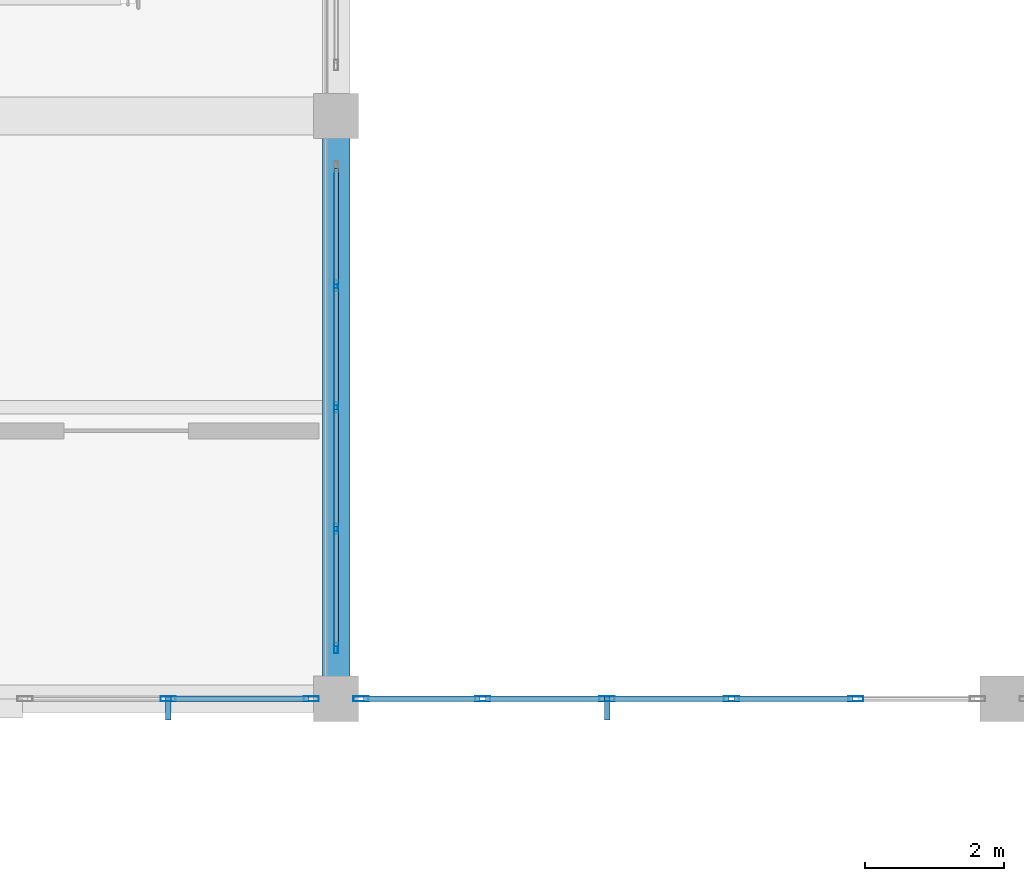
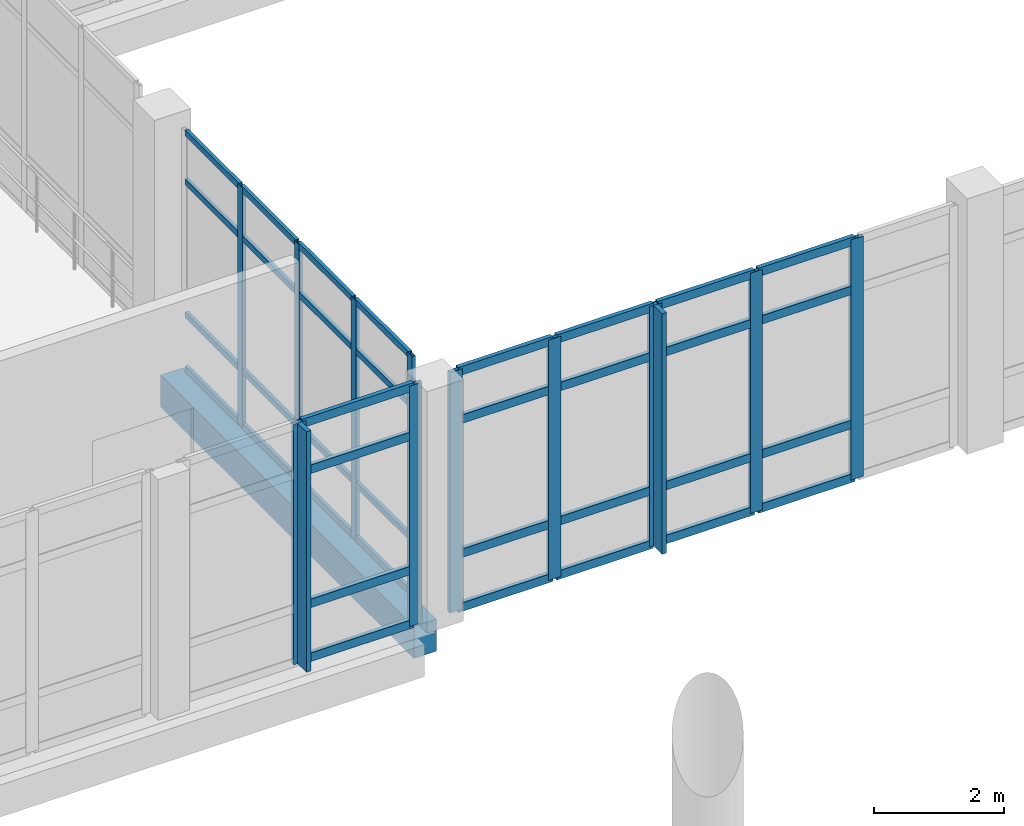
# One storey, part 33 of 102: 49 members, 1 beam, 3 elements without a shape of their own.
"""IFC4 building model written with IfcOpenShell, lengths in metres."""

from ifc_helpers import new_model, si_unit, direction, frame, origin, origin_2d, place, context, subcontext, project, spatial, rectangle, hollow_rectangle, extrude, material, layer, layer_set, material_profile, profile_set, type_object, element, aggregate, save


model = new_model("IFC4")

# Units and contexts
model_context = context("Model", 3, precision=1e-05, world=origin(), true_north=direction((0.0, 1.0)))
body_context = subcontext(model_context, "Body", "Model", "MODEL_VIEW")
ifc_project = project(units=[si_unit("LENGTHUNIT", "METRE"), si_unit("AREAUNIT", "SQUARE_METRE"), si_unit("VOLUMEUNIT", "CUBIC_METRE"), si_unit("PLANEANGLEUNIT", "RADIAN"), si_unit("MASSUNIT", "GRAM", prefix="KILO")], contexts=[model_context])

# Site, building, storey
site_placement = place(None, origin())
site = spatial("IfcSite", under=ifc_project, at=site_placement, CompositionType="ELEMENT")
building_placement = place(site_placement, origin())
building = spatial("IfcBuilding", under=site, at=building_placement, Name="Lornevale Opera House", CompositionType="ELEMENT")
storey_placement = place(building_placement, frame((0.0, 0.0, 5.39990234375)))
storey = spatial("IfcBuildingStorey", under=building, at=storey_placement, Name="L02", CompositionType="ELEMENT", Elevation=5.39990234375)

# Beam
ifc_material_1 = material(Name="Concrete 35 MPa (CSA A23.1 N)", Category="concrete")
ifc_material_profile_1 = material_profile(ifc_material_1, rectangle(XDim=0.39990234375, YDim=0.60009765625, at=origin_2d()), Name="RC400x600")
ifc_profile_set_1 = profile_set([ifc_material_profile_1], Name="Concrete 35 MPa (CSA A23.1 N)")
beam_type = type_object("IfcBeamType", Name="Concrete Spandrel Beam 400x600", PredefinedType="SPANDREL", material=ifc_profile_set_1)
beam_placement = place(storey_placement, frame((67.199951171875, 17.10009765625, -0.599853515625), z_axis=(0.0, 1.0, 0.0), x_axis=(-1.0, 0.0, 0.0)))
element("IfcBeam", 1, at=beam_placement, inside=storey, type_object=beam_type, Name="Concrete Spandrel Beam 400x600 1891", PredefinedType="SPANDREL", context=body_context, shape_type="SweptSolid", body=[
    extrude(rectangle(XDim=0.39990234375, YDim=0.60009765625, at=origin_2d()), origin(), (0.0, 0.0, 1.0), 7.7998046875),
])

# Curtain wall, members
ifc_material_2 = material(Name="Anodized Oxide-Green Aluminium Framing", Category="aluminium")
ifc_layer_1 = layer(ifc_material_2, 0.14990234375)
ifc_layer_set_1 = layer_set([ifc_layer_1], Name="Anodized Oxide-Green Aluminium Framing")
curtain_wall_type_1 = type_object("IfcCurtainWallType", Name="North-Light Clerestory Curtain Wall M1600", PredefinedType="NOTDEFINED", material=ifc_layer_set_1)
curtain_wall_1_placement = place(storey_placement, origin())
curtain_wall_1 = element("IfcCurtainWall", 2, at=curtain_wall_1_placement, inside=storey, type_object=curtain_wall_type_1, Name="North-Light Clerestory Curtain Wall M1600 CW-171", PredefinedType="NOTDEFINED")
ifc_material_profile_2 = material_profile(ifc_material_2, hollow_rectangle(XDim=0.06005859375, YDim=0.14990234375, WallThickness=0.00390625, at=origin_2d()), Name="ALU60x150x4")
ifc_profile_set_2 = profile_set([ifc_material_profile_2], Name="Anodized Oxide-Green Aluminium Framing")
member_type_1 = type_object("IfcMemberType", Name="Curtain Wall Mullion 60x150", PredefinedType="MULLION", material=ifc_profile_set_2)
member_1_placement = place(storey_placement, frame((67.199951171875, 17.530029296875, 0.0), z_axis=(0.0, 0.0, 1.0), x_axis=(-1.0, 0.0, 0.0)))
member_1 = element("IfcMember", 3, at=member_1_placement, type_object=member_type_1, Name="Curtain Wall Mullion 60x150 CW3459", PredefinedType="MULLION", context=body_context, shape_type="SweptSolid", body=[
    extrude(hollow_rectangle(XDim=0.06005859375, YDim=0.14990234375, WallThickness=0.00390625, at=origin_2d()), origin(), (0.0, 0.0, 1.0), 4.5),
])
member_2_placement = place(storey_placement, frame((67.199951171875, 19.25, 0.0), z_axis=(0.0, 0.0, 1.0), x_axis=(-1.0, 0.0, 0.0)))
member_2 = element("IfcMember", 4, at=member_2_placement, type_object=member_type_1, Name="Curtain Wall Mullion 60x150 CW3460", PredefinedType="MULLION", context=body_context, shape_type="SweptSolid", body=[
    extrude(hollow_rectangle(XDim=0.06005859375, YDim=0.14990234375, WallThickness=0.00390625, at=origin_2d()), origin(), (0.0, 0.0, 1.0), 4.5),
])
member_3_placement = place(storey_placement, frame((67.199951171875, 21.0, 0.0), z_axis=(0.0, 0.0, 1.0), x_axis=(-1.0, 0.0, 0.0)))
member_3 = element("IfcMember", 5, at=member_3_placement, type_object=member_type_1, Name="Curtain Wall Mullion 60x150 CW3461", PredefinedType="MULLION", context=body_context, shape_type="SweptSolid", body=[
    extrude(hollow_rectangle(XDim=0.06005859375, YDim=0.14990234375, WallThickness=0.00390625, at=origin_2d()), origin(), (0.0, 0.0, 1.0), 4.5),
])
member_4_placement = place(storey_placement, frame((67.199951171875, 22.75, 0.0), z_axis=(0.0, 0.0, 1.0), x_axis=(-1.0, 0.0, 0.0)))
member_4 = element("IfcMember", 6, at=member_4_placement, type_object=member_type_1, Name="Curtain Wall Mullion 60x150 CW3462", PredefinedType="MULLION", context=body_context, shape_type="SweptSolid", body=[
    extrude(hollow_rectangle(XDim=0.06005859375, YDim=0.14990234375, WallThickness=0.00390625, at=origin_2d()), origin(), (0.0, 0.0, 1.0), 4.5),
])

ifc_layer_2 = layer(ifc_material_2, 0.219970703125)
ifc_layer_set_2 = layer_set([ifc_layer_2], Name="Anodized Oxide-Green Aluminium Framing")
curtain_wall_type_2 = type_object("IfcCurtainWallType", Name="Winter-Garden Curtain Wall M1900", PredefinedType="NOTDEFINED", material=ifc_layer_set_2)
curtain_wall_2_placement = place(storey_placement, origin())
curtain_wall_2 = element("IfcCurtainWall", 7, at=curtain_wall_2_placement, inside=storey, type_object=curtain_wall_type_2, Name="Winter-Garden Curtain Wall M1900 CW-067", PredefinedType="NOTDEFINED")
ifc_material_profile_3 = material_profile(ifc_material_2, hollow_rectangle(XDim=0.074951171875, YDim=0.219970703125, WallThickness=0.0048828125, at=origin_2d()), Name="ALU75x220x5")
ifc_profile_set_3 = profile_set([ifc_material_profile_3], Name="Anodized Oxide-Green Aluminium Framing")
member_type_2 = type_object("IfcMemberType", Name="Curtain Wall Mullion 75x220", PredefinedType="MULLION", material=ifc_profile_set_3)
member_5_placement = place(storey_placement, frame((66.841552734375, 16.800048828125, 0.0), z_axis=(0.0, 0.0, 1.0), x_axis=(0.0, -1.0, 0.0)))
member_5 = element("IfcMember", 8, at=member_5_placement, type_object=member_type_2, Name="Curtain Wall Mullion 75x220 CW1323", PredefinedType="MULLION", context=body_context, shape_type="SweptSolid", body=[
    extrude(hollow_rectangle(XDim=0.074951171875, YDim=0.219970703125, WallThickness=0.0048828125, at=origin_2d()), origin(), (0.0, 0.0, 1.0), 4.52001953125),
])
member_6_placement = place(storey_placement, frame((64.779541015625, 16.800048828125, 0.0), z_axis=(0.0, 0.0, 1.0), x_axis=(0.0, -1.0, 0.0)))
member_6 = element("IfcMember", 9, at=member_6_placement, type_object=member_type_2, Name="Curtain Wall Mullion 75x220 CW1324", PredefinedType="MULLION", context=body_context, shape_type="SweptSolid", body=[
    extrude(hollow_rectangle(XDim=0.074951171875, YDim=0.219970703125, WallThickness=0.0048828125, at=origin_2d()), origin(), (0.0, 0.0, 1.0), 4.52001953125),
])

curtain_wall_3_placement = place(storey_placement, origin())
curtain_wall_3 = element("IfcCurtainWall", 10, at=curtain_wall_3_placement, inside=storey, type_object=curtain_wall_type_2, Name="Winter-Garden Curtain Wall M1900 CW-069", PredefinedType="NOTDEFINED")
member_7_placement = place(storey_placement, frame((74.6875, 16.800048828125, 0.0), z_axis=(0.0, 0.0, 1.0), x_axis=(0.0, -1.0, 0.0)))
member_7 = element("IfcMember", 11, at=member_7_placement, type_object=member_type_2, Name="Curtain Wall Mullion 75x220 CW1358", PredefinedType="MULLION", context=body_context, shape_type="SweptSolid", body=[
    extrude(hollow_rectangle(XDim=0.074951171875, YDim=0.219970703125, WallThickness=0.0048828125, at=origin_2d()), origin(), (0.0, 0.0, 1.0), 4.52001953125),
])
member_8_placement = place(storey_placement, frame((72.895751953125, 16.800048828125, 0.0), z_axis=(0.0, 0.0, 1.0), x_axis=(0.0, -1.0, 0.0)))
member_8 = element("IfcMember", 12, at=member_8_placement, type_object=member_type_2, Name="Curtain Wall Mullion 75x220 CW1359", PredefinedType="MULLION", context=body_context, shape_type="SweptSolid", body=[
    extrude(hollow_rectangle(XDim=0.074951171875, YDim=0.219970703125, WallThickness=0.0048828125, at=origin_2d()), origin(), (0.0, 0.0, 1.0), 4.52001953125),
])
member_9_placement = place(storey_placement, frame((71.104248046875, 16.800048828125, 0.0), z_axis=(0.0, 0.0, 1.0), x_axis=(0.0, -1.0, 0.0)))
member_9 = element("IfcMember", 13, at=member_9_placement, type_object=member_type_2, Name="Curtain Wall Mullion 75x220 CW1360", PredefinedType="MULLION", context=body_context, shape_type="SweptSolid", body=[
    extrude(hollow_rectangle(XDim=0.074951171875, YDim=0.219970703125, WallThickness=0.0048828125, at=origin_2d()), origin(), (0.0, 0.0, 1.0), 4.52001953125),
])
member_10_placement = place(storey_placement, frame((69.3125, 16.800048828125, 0.0), z_axis=(0.0, 0.0, 1.0), x_axis=(0.0, -1.0, 0.0)))
member_10 = element("IfcMember", 14, at=member_10_placement, type_object=member_type_2, Name="Curtain Wall Mullion 75x220 CW1361", PredefinedType="MULLION", context=body_context, shape_type="SweptSolid", body=[
    extrude(hollow_rectangle(XDim=0.074951171875, YDim=0.219970703125, WallThickness=0.0048828125, at=origin_2d()), origin(), (0.0, 0.0, 1.0), 4.52001953125),
])
member_11_placement = place(storey_placement, frame((67.55859375, 16.800048828125, 0.0), z_axis=(0.0, 0.0, 1.0), x_axis=(0.0, -1.0, 0.0)))
member_11 = element("IfcMember", 15, at=member_11_placement, type_object=member_type_2, Name="Curtain Wall Mullion 75x220 CW1362", PredefinedType="MULLION", context=body_context, shape_type="SweptSolid", body=[
    extrude(hollow_rectangle(XDim=0.074951171875, YDim=0.219970703125, WallThickness=0.0048828125, at=origin_2d()), origin(), (0.0, 0.0, 1.0), 4.52001953125),
])

# Member
ifc_material_profile_4 = material_profile(ifc_material_2, hollow_rectangle(XDim=0.06005859375, YDim=0.114990234375, WallThickness=0.00390625, at=origin_2d()), Name="ALU60x115x4")
ifc_profile_set_4 = profile_set([ifc_material_profile_4], Name="Anodized Oxide-Green Aluminium Framing")
member_type_3 = type_object("IfcMemberType", Name="Curtain Wall Transom 60x115", PredefinedType="USERDEFINED", material=ifc_profile_set_4)
member_12_placement = place(storey_placement, frame((67.199951171875, 17.56005859375, 0.030029296875), z_axis=(0.0, 1.0, 0.0), x_axis=(-1.0, 0.0, 0.0)))
member_12 = element("IfcMember", 16, at=member_12_placement, type_object=member_type_3, Name="Curtain Wall Transom 60x115 CW3464", ObjectType="TRANSOM", PredefinedType="USERDEFINED", context=body_context, shape_type="SweptSolid", body=[
    extrude(hollow_rectangle(XDim=0.06005859375, YDim=0.114990234375, WallThickness=0.00390625, at=origin_2d()), origin(), (0.0, 0.0, 1.0), 1.659912109375),
])

member_13_placement = place(storey_placement, frame((67.199951171875, 17.56005859375, 1.050048828125), z_axis=(0.0, 1.0, 0.0), x_axis=(-1.0, 0.0, 0.0)))
member_13 = element("IfcMember", 17, at=member_13_placement, type_object=member_type_3, Name="Curtain Wall Transom 60x115 CW3465", ObjectType="TRANSOM", PredefinedType="USERDEFINED", context=body_context, shape_type="SweptSolid", body=[
    extrude(hollow_rectangle(XDim=0.06005859375, YDim=0.114990234375, WallThickness=0.00390625, at=origin_2d()), origin(), (0.0, 0.0, 1.0), 1.659912109375),
])

member_14_placement = place(storey_placement, frame((67.199951171875, 17.56005859375, 3.550048828125), z_axis=(0.0, 1.0, 0.0), x_axis=(-1.0, 0.0, 0.0)))
member_14 = element("IfcMember", 18, at=member_14_placement, type_object=member_type_3, Name="Curtain Wall Transom 60x115 CW3466", ObjectType="TRANSOM", PredefinedType="USERDEFINED", context=body_context, shape_type="SweptSolid", body=[
    extrude(hollow_rectangle(XDim=0.06005859375, YDim=0.114990234375, WallThickness=0.00390625, at=origin_2d()), origin(), (0.0, 0.0, 1.0), 1.659912109375),
])

member_15_placement = place(storey_placement, frame((67.199951171875, 17.56005859375, 4.47021484375), z_axis=(0.0, 1.0, 0.0), x_axis=(-1.0, 0.0, 0.0)))
member_15 = element("IfcMember", 19, at=member_15_placement, type_object=member_type_3, Name="Curtain Wall Transom 60x115 CW3467", ObjectType="TRANSOM", PredefinedType="USERDEFINED", context=body_context, shape_type="SweptSolid", body=[
    extrude(hollow_rectangle(XDim=0.06005859375, YDim=0.114990234375, WallThickness=0.00390625, at=origin_2d()), origin(), (0.0, 0.0, 1.0), 1.659912109375),
])

member_16_placement = place(storey_placement, frame((67.199951171875, 19.280029296875, 0.030029296875), z_axis=(0.0, 1.0, 0.0), x_axis=(-1.0, 0.0, 0.0)))
member_16 = element("IfcMember", 20, at=member_16_placement, type_object=member_type_3, Name="Curtain Wall Transom 60x115 CW3471", ObjectType="TRANSOM", PredefinedType="USERDEFINED", context=body_context, shape_type="SweptSolid", body=[
    extrude(hollow_rectangle(XDim=0.06005859375, YDim=0.114990234375, WallThickness=0.00390625, at=origin_2d()), origin(), (0.0, 0.0, 1.0), 1.68994140625),
])

member_17_placement = place(storey_placement, frame((67.199951171875, 19.280029296875, 1.050048828125), z_axis=(0.0, 1.0, 0.0), x_axis=(-1.0, 0.0, 0.0)))
member_17 = element("IfcMember", 21, at=member_17_placement, type_object=member_type_3, Name="Curtain Wall Transom 60x115 CW3472", ObjectType="TRANSOM", PredefinedType="USERDEFINED", context=body_context, shape_type="SweptSolid", body=[
    extrude(hollow_rectangle(XDim=0.06005859375, YDim=0.114990234375, WallThickness=0.00390625, at=origin_2d()), origin(), (0.0, 0.0, 1.0), 1.68994140625),
])

member_18_placement = place(storey_placement, frame((67.199951171875, 19.280029296875, 3.550048828125), z_axis=(0.0, 1.0, 0.0), x_axis=(-1.0, 0.0, 0.0)))
member_18 = element("IfcMember", 22, at=member_18_placement, type_object=member_type_3, Name="Curtain Wall Transom 60x115 CW3473", ObjectType="TRANSOM", PredefinedType="USERDEFINED", context=body_context, shape_type="SweptSolid", body=[
    extrude(hollow_rectangle(XDim=0.06005859375, YDim=0.114990234375, WallThickness=0.00390625, at=origin_2d()), origin(), (0.0, 0.0, 1.0), 1.68994140625),
])

member_19_placement = place(storey_placement, frame((67.199951171875, 19.280029296875, 4.47021484375), z_axis=(0.0, 1.0, 0.0), x_axis=(-1.0, 0.0, 0.0)))
member_19 = element("IfcMember", 23, at=member_19_placement, type_object=member_type_3, Name="Curtain Wall Transom 60x115 CW3474", ObjectType="TRANSOM", PredefinedType="USERDEFINED", context=body_context, shape_type="SweptSolid", body=[
    extrude(hollow_rectangle(XDim=0.06005859375, YDim=0.114990234375, WallThickness=0.00390625, at=origin_2d()), origin(), (0.0, 0.0, 1.0), 1.68994140625),
])

member_20_placement = place(storey_placement, frame((67.199951171875, 21.030029296875, 0.030029296875), z_axis=(0.0, 1.0, 0.0), x_axis=(-1.0, 0.0, 0.0)))
member_20 = element("IfcMember", 24, at=member_20_placement, type_object=member_type_3, Name="Curtain Wall Transom 60x115 CW3478", ObjectType="TRANSOM", PredefinedType="USERDEFINED", context=body_context, shape_type="SweptSolid", body=[
    extrude(hollow_rectangle(XDim=0.06005859375, YDim=0.114990234375, WallThickness=0.00390625, at=origin_2d()), origin(), (0.0, 0.0, 1.0), 1.68994140625),
])

member_21_placement = place(storey_placement, frame((67.199951171875, 21.030029296875, 1.050048828125), z_axis=(0.0, 1.0, 0.0), x_axis=(-1.0, 0.0, 0.0)))
member_21 = element("IfcMember", 25, at=member_21_placement, type_object=member_type_3, Name="Curtain Wall Transom 60x115 CW3479", ObjectType="TRANSOM", PredefinedType="USERDEFINED", context=body_context, shape_type="SweptSolid", body=[
    extrude(hollow_rectangle(XDim=0.06005859375, YDim=0.114990234375, WallThickness=0.00390625, at=origin_2d()), origin(), (0.0, 0.0, 1.0), 1.68994140625),
])

member_22_placement = place(storey_placement, frame((67.199951171875, 21.030029296875, 3.550048828125), z_axis=(0.0, 1.0, 0.0), x_axis=(-1.0, 0.0, 0.0)))
member_22 = element("IfcMember", 26, at=member_22_placement, type_object=member_type_3, Name="Curtain Wall Transom 60x115 CW3480", ObjectType="TRANSOM", PredefinedType="USERDEFINED", context=body_context, shape_type="SweptSolid", body=[
    extrude(hollow_rectangle(XDim=0.06005859375, YDim=0.114990234375, WallThickness=0.00390625, at=origin_2d()), origin(), (0.0, 0.0, 1.0), 1.68994140625),
])

member_23_placement = place(storey_placement, frame((67.199951171875, 21.030029296875, 4.47021484375), z_axis=(0.0, 1.0, 0.0), x_axis=(-1.0, 0.0, 0.0)))
member_23 = element("IfcMember", 27, at=member_23_placement, type_object=member_type_3, Name="Curtain Wall Transom 60x115 CW3481", ObjectType="TRANSOM", PredefinedType="USERDEFINED", context=body_context, shape_type="SweptSolid", body=[
    extrude(hollow_rectangle(XDim=0.06005859375, YDim=0.114990234375, WallThickness=0.00390625, at=origin_2d()), origin(), (0.0, 0.0, 1.0), 1.68994140625),
])

member_24_placement = place(storey_placement, frame((67.199951171875, 22.780029296875, 0.030029296875), z_axis=(0.0, 1.0, 0.0), x_axis=(-1.0, 0.0, 0.0)))
member_24 = element("IfcMember", 28, at=member_24_placement, type_object=member_type_3, Name="Curtain Wall Transom 60x115 CW3485", ObjectType="TRANSOM", PredefinedType="USERDEFINED", context=body_context, shape_type="SweptSolid", body=[
    extrude(hollow_rectangle(XDim=0.06005859375, YDim=0.114990234375, WallThickness=0.00390625, at=origin_2d()), origin(), (0.0, 0.0, 1.0), 1.659912109375),
])

member_25_placement = place(storey_placement, frame((67.199951171875, 22.780029296875, 1.050048828125), z_axis=(0.0, 1.0, 0.0), x_axis=(-1.0, 0.0, 0.0)))
member_25 = element("IfcMember", 29, at=member_25_placement, type_object=member_type_3, Name="Curtain Wall Transom 60x115 CW3486", ObjectType="TRANSOM", PredefinedType="USERDEFINED", context=body_context, shape_type="SweptSolid", body=[
    extrude(hollow_rectangle(XDim=0.06005859375, YDim=0.114990234375, WallThickness=0.00390625, at=origin_2d()), origin(), (0.0, 0.0, 1.0), 1.659912109375),
])

member_26_placement = place(storey_placement, frame((67.199951171875, 22.780029296875, 3.550048828125), z_axis=(0.0, 1.0, 0.0), x_axis=(-1.0, 0.0, 0.0)))
member_26 = element("IfcMember", 30, at=member_26_placement, type_object=member_type_3, Name="Curtain Wall Transom 60x115 CW3487", ObjectType="TRANSOM", PredefinedType="USERDEFINED", context=body_context, shape_type="SweptSolid", body=[
    extrude(hollow_rectangle(XDim=0.06005859375, YDim=0.114990234375, WallThickness=0.00390625, at=origin_2d()), origin(), (0.0, 0.0, 1.0), 1.659912109375),
])

member_27_placement = place(storey_placement, frame((67.199951171875, 22.780029296875, 4.47021484375), z_axis=(0.0, 1.0, 0.0), x_axis=(-1.0, 0.0, 0.0)))
member_27 = element("IfcMember", 31, at=member_27_placement, type_object=member_type_3, Name="Curtain Wall Transom 60x115 CW3488", ObjectType="TRANSOM", PredefinedType="USERDEFINED", context=body_context, shape_type="SweptSolid", body=[
    extrude(hollow_rectangle(XDim=0.06005859375, YDim=0.114990234375, WallThickness=0.00390625, at=origin_2d()), origin(), (0.0, 0.0, 1.0), 1.659912109375),
])

aggregate(curtain_wall_1, [member_1, member_2, member_3, member_4, member_12, member_13, member_14, member_15, member_16, member_17, member_18, member_19, member_20, member_21, member_22, member_23, member_24, member_25, member_26, member_27])

ifc_material_profile_5 = material_profile(ifc_material_2, hollow_rectangle(XDim=0.074951171875, YDim=0.159912109375, WallThickness=0.0048828125, at=origin_2d()), Name="ALU75x160x5")
ifc_profile_set_5 = profile_set([ifc_material_profile_5], Name="Anodized Oxide-Green Aluminium Framing")
member_type_4 = type_object("IfcMemberType", Name="Curtain Wall Transom 75x160", PredefinedType="USERDEFINED", material=ifc_profile_set_5)
member_28_placement = place(storey_placement, frame((66.803955078125, 16.800048828125, 0.03759765625), z_axis=(-1.0, 0.0, 0.0), x_axis=(0.0, -1.0, 0.0)))
member_28 = element("IfcMember", 32, at=member_28_placement, type_object=member_type_4, Name="Curtain Wall Transom 75x160 CW1326", ObjectType="TRANSOM", PredefinedType="USERDEFINED", context=body_context, shape_type="SweptSolid", body=[
    extrude(hollow_rectangle(XDim=0.074951171875, YDim=0.159912109375, WallThickness=0.0048828125, at=origin_2d()), origin(), (0.0, 0.0, 1.0), 1.987060546875),
])

member_29_placement = place(storey_placement, frame((66.803955078125, 16.800048828125, 1.050048828125), z_axis=(-1.0, 0.0, 0.0), x_axis=(0.0, -1.0, 0.0)))
member_29 = element("IfcMember", 33, at=member_29_placement, type_object=member_type_4, Name="Curtain Wall Transom 75x160 CW1327", ObjectType="TRANSOM", PredefinedType="USERDEFINED", context=body_context, shape_type="SweptSolid", body=[
    extrude(hollow_rectangle(XDim=0.074951171875, YDim=0.159912109375, WallThickness=0.0048828125, at=origin_2d()), origin(), (0.0, 0.0, 1.0), 1.987060546875),
])

member_30_placement = place(storey_placement, frame((66.803955078125, 16.800048828125, 3.570068359375), z_axis=(-1.0, 0.0, 0.0), x_axis=(0.0, -1.0, 0.0)))
member_30 = element("IfcMember", 34, at=member_30_placement, type_object=member_type_4, Name="Curtain Wall Transom 75x160 CW1328", ObjectType="TRANSOM", PredefinedType="USERDEFINED", context=body_context, shape_type="SweptSolid", body=[
    extrude(hollow_rectangle(XDim=0.074951171875, YDim=0.159912109375, WallThickness=0.0048828125, at=origin_2d()), origin(), (0.0, 0.0, 1.0), 1.987060546875),
])

member_31_placement = place(storey_placement, frame((66.803955078125, 16.800048828125, 4.482666015625), z_axis=(-1.0, 0.0, 0.0), x_axis=(0.0, -1.0, 0.0)))
member_31 = element("IfcMember", 35, at=member_31_placement, type_object=member_type_4, Name="Curtain Wall Transom 75x160 CW1329", ObjectType="TRANSOM", PredefinedType="USERDEFINED", context=body_context, shape_type="SweptSolid", body=[
    extrude(hollow_rectangle(XDim=0.074951171875, YDim=0.159912109375, WallThickness=0.0048828125, at=origin_2d()), origin(), (0.0, 0.0, 1.0), 1.987060546875),
])

member_32_placement = place(storey_placement, frame((74.64990234375, 16.800048828125, 0.03759765625), z_axis=(-1.0, 0.0, 0.0), x_axis=(0.0, -1.0, 0.0)))
member_32 = element("IfcMember", 36, at=member_32_placement, type_object=member_type_4, Name="Curtain Wall Transom 75x160 CW1370", ObjectType="TRANSOM", PredefinedType="USERDEFINED", context=body_context, shape_type="SweptSolid", body=[
    extrude(hollow_rectangle(XDim=0.074951171875, YDim=0.159912109375, WallThickness=0.0048828125, at=origin_2d()), origin(), (0.0, 0.0, 1.0), 1.716552734375),
])

member_33_placement = place(storey_placement, frame((74.64990234375, 16.800048828125, 1.050048828125), z_axis=(-1.0, 0.0, 0.0), x_axis=(0.0, -1.0, 0.0)))
member_33 = element("IfcMember", 37, at=member_33_placement, type_object=member_type_4, Name="Curtain Wall Transom 75x160 CW1371", ObjectType="TRANSOM", PredefinedType="USERDEFINED", context=body_context, shape_type="SweptSolid", body=[
    extrude(hollow_rectangle(XDim=0.074951171875, YDim=0.159912109375, WallThickness=0.0048828125, at=origin_2d()), origin(), (0.0, 0.0, 1.0), 1.716552734375),
])

member_34_placement = place(storey_placement, frame((74.64990234375, 16.800048828125, 3.570068359375), z_axis=(-1.0, 0.0, 0.0), x_axis=(0.0, -1.0, 0.0)))
member_34 = element("IfcMember", 38, at=member_34_placement, type_object=member_type_4, Name="Curtain Wall Transom 75x160 CW1372", ObjectType="TRANSOM", PredefinedType="USERDEFINED", context=body_context, shape_type="SweptSolid", body=[
    extrude(hollow_rectangle(XDim=0.074951171875, YDim=0.159912109375, WallThickness=0.0048828125, at=origin_2d()), origin(), (0.0, 0.0, 1.0), 1.716552734375),
])

member_35_placement = place(storey_placement, frame((74.64990234375, 16.800048828125, 4.482666015625), z_axis=(-1.0, 0.0, 0.0), x_axis=(0.0, -1.0, 0.0)))
member_35 = element("IfcMember", 39, at=member_35_placement, type_object=member_type_4, Name="Curtain Wall Transom 75x160 CW1373", ObjectType="TRANSOM", PredefinedType="USERDEFINED", context=body_context, shape_type="SweptSolid", body=[
    extrude(hollow_rectangle(XDim=0.074951171875, YDim=0.159912109375, WallThickness=0.0048828125, at=origin_2d()), origin(), (0.0, 0.0, 1.0), 1.716552734375),
])

member_36_placement = place(storey_placement, frame((72.8583984375, 16.800048828125, 0.03759765625), z_axis=(-1.0, 0.0, 0.0), x_axis=(0.0, -1.0, 0.0)))
member_36 = element("IfcMember", 40, at=member_36_placement, type_object=member_type_4, Name="Curtain Wall Transom 75x160 CW1377", ObjectType="TRANSOM", PredefinedType="USERDEFINED", context=body_context, shape_type="SweptSolid", body=[
    extrude(hollow_rectangle(XDim=0.074951171875, YDim=0.159912109375, WallThickness=0.0048828125, at=origin_2d()), origin(), (0.0, 0.0, 1.0), 1.716796875),
])

member_37_placement = place(storey_placement, frame((72.8583984375, 16.800048828125, 1.050048828125), z_axis=(-1.0, 0.0, 0.0), x_axis=(0.0, -1.0, 0.0)))
member_37 = element("IfcMember", 41, at=member_37_placement, type_object=member_type_4, Name="Curtain Wall Transom 75x160 CW1378", ObjectType="TRANSOM", PredefinedType="USERDEFINED", context=body_context, shape_type="SweptSolid", body=[
    extrude(hollow_rectangle(XDim=0.074951171875, YDim=0.159912109375, WallThickness=0.0048828125, at=origin_2d()), origin(), (0.0, 0.0, 1.0), 1.716796875),
])

member_38_placement = place(storey_placement, frame((72.8583984375, 16.800048828125, 3.570068359375), z_axis=(-1.0, 0.0, 0.0), x_axis=(0.0, -1.0, 0.0)))
member_38 = element("IfcMember", 42, at=member_38_placement, type_object=member_type_4, Name="Curtain Wall Transom 75x160 CW1379", ObjectType="TRANSOM", PredefinedType="USERDEFINED", context=body_context, shape_type="SweptSolid", body=[
    extrude(hollow_rectangle(XDim=0.074951171875, YDim=0.159912109375, WallThickness=0.0048828125, at=origin_2d()), origin(), (0.0, 0.0, 1.0), 1.716796875),
])

member_39_placement = place(storey_placement, frame((72.8583984375, 16.800048828125, 4.482666015625), z_axis=(-1.0, 0.0, 0.0), x_axis=(0.0, -1.0, 0.0)))
member_39 = element("IfcMember", 43, at=member_39_placement, type_object=member_type_4, Name="Curtain Wall Transom 75x160 CW1380", ObjectType="TRANSOM", PredefinedType="USERDEFINED", context=body_context, shape_type="SweptSolid", body=[
    extrude(hollow_rectangle(XDim=0.074951171875, YDim=0.159912109375, WallThickness=0.0048828125, at=origin_2d()), origin(), (0.0, 0.0, 1.0), 1.716796875),
])

member_40_placement = place(storey_placement, frame((71.066650390625, 16.800048828125, 0.03759765625), z_axis=(-1.0, 0.0, 0.0), x_axis=(0.0, -1.0, 0.0)))
member_40 = element("IfcMember", 44, at=member_40_placement, type_object=member_type_4, Name="Curtain Wall Transom 75x160 CW1384", ObjectType="TRANSOM", PredefinedType="USERDEFINED", context=body_context, shape_type="SweptSolid", body=[
    extrude(hollow_rectangle(XDim=0.074951171875, YDim=0.159912109375, WallThickness=0.0048828125, at=origin_2d()), origin(), (0.0, 0.0, 1.0), 1.716552734375),
])

member_41_placement = place(storey_placement, frame((71.066650390625, 16.800048828125, 1.050048828125), z_axis=(-1.0, 0.0, 0.0), x_axis=(0.0, -1.0, 0.0)))
member_41 = element("IfcMember", 45, at=member_41_placement, type_object=member_type_4, Name="Curtain Wall Transom 75x160 CW1385", ObjectType="TRANSOM", PredefinedType="USERDEFINED", context=body_context, shape_type="SweptSolid", body=[
    extrude(hollow_rectangle(XDim=0.074951171875, YDim=0.159912109375, WallThickness=0.0048828125, at=origin_2d()), origin(), (0.0, 0.0, 1.0), 1.716552734375),
])

member_42_placement = place(storey_placement, frame((71.066650390625, 16.800048828125, 3.570068359375), z_axis=(-1.0, 0.0, 0.0), x_axis=(0.0, -1.0, 0.0)))
member_42 = element("IfcMember", 46, at=member_42_placement, type_object=member_type_4, Name="Curtain Wall Transom 75x160 CW1386", ObjectType="TRANSOM", PredefinedType="USERDEFINED", context=body_context, shape_type="SweptSolid", body=[
    extrude(hollow_rectangle(XDim=0.074951171875, YDim=0.159912109375, WallThickness=0.0048828125, at=origin_2d()), origin(), (0.0, 0.0, 1.0), 1.716552734375),
])

member_43_placement = place(storey_placement, frame((71.066650390625, 16.800048828125, 4.482666015625), z_axis=(-1.0, 0.0, 0.0), x_axis=(0.0, -1.0, 0.0)))
member_43 = element("IfcMember", 47, at=member_43_placement, type_object=member_type_4, Name="Curtain Wall Transom 75x160 CW1387", ObjectType="TRANSOM", PredefinedType="USERDEFINED", context=body_context, shape_type="SweptSolid", body=[
    extrude(hollow_rectangle(XDim=0.074951171875, YDim=0.159912109375, WallThickness=0.0048828125, at=origin_2d()), origin(), (0.0, 0.0, 1.0), 1.716552734375),
])

member_44_placement = place(storey_placement, frame((69.275146484375, 16.800048828125, 0.03759765625), z_axis=(-1.0, 0.0, 0.0), x_axis=(0.0, -1.0, 0.0)))
member_44 = element("IfcMember", 48, at=member_44_placement, type_object=member_type_4, Name="Curtain Wall Transom 75x160 CW1391", ObjectType="TRANSOM", PredefinedType="USERDEFINED", context=body_context, shape_type="SweptSolid", body=[
    extrude(hollow_rectangle(XDim=0.074951171875, YDim=0.159912109375, WallThickness=0.0048828125, at=origin_2d()), origin(), (0.0, 0.0, 1.0), 1.67919921875),
])

member_45_placement = place(storey_placement, frame((69.275146484375, 16.800048828125, 1.050048828125), z_axis=(-1.0, 0.0, 0.0), x_axis=(0.0, -1.0, 0.0)))
member_45 = element("IfcMember", 49, at=member_45_placement, type_object=member_type_4, Name="Curtain Wall Transom 75x160 CW1392", ObjectType="TRANSOM", PredefinedType="USERDEFINED", context=body_context, shape_type="SweptSolid", body=[
    extrude(hollow_rectangle(XDim=0.074951171875, YDim=0.159912109375, WallThickness=0.0048828125, at=origin_2d()), origin(), (0.0, 0.0, 1.0), 1.67919921875),
])

member_46_placement = place(storey_placement, frame((69.275146484375, 16.800048828125, 3.570068359375), z_axis=(-1.0, 0.0, 0.0), x_axis=(0.0, -1.0, 0.0)))
member_46 = element("IfcMember", 50, at=member_46_placement, type_object=member_type_4, Name="Curtain Wall Transom 75x160 CW1393", ObjectType="TRANSOM", PredefinedType="USERDEFINED", context=body_context, shape_type="SweptSolid", body=[
    extrude(hollow_rectangle(XDim=0.074951171875, YDim=0.159912109375, WallThickness=0.0048828125, at=origin_2d()), origin(), (0.0, 0.0, 1.0), 1.67919921875),
])

member_47_placement = place(storey_placement, frame((69.275146484375, 16.800048828125, 4.482666015625), z_axis=(-1.0, 0.0, 0.0), x_axis=(0.0, -1.0, 0.0)))
member_47 = element("IfcMember", 51, at=member_47_placement, type_object=member_type_4, Name="Curtain Wall Transom 75x160 CW1394", ObjectType="TRANSOM", PredefinedType="USERDEFINED", context=body_context, shape_type="SweptSolid", body=[
    extrude(hollow_rectangle(XDim=0.074951171875, YDim=0.159912109375, WallThickness=0.0048828125, at=origin_2d()), origin(), (0.0, 0.0, 1.0), 1.67919921875),
])

ifc_material_3 = material(Name="Architectural Bronze Solar Louvre Alloy", Category="metal")
ifc_material_profile_6 = material_profile(ifc_material_3, rectangle(XDim=0.080078125, YDim=0.360107421875, at=origin_2d()), Name="FIN80x360")
ifc_profile_set_6 = profile_set([ifc_material_profile_6], Name="Architectural Bronze Solar Louvre Alloy")
member_type_5 = type_object("IfcMemberType", Name="Solar Shading Fin 80x360", PredefinedType="USERDEFINED", material=ifc_profile_set_6)
member_48_placement = place(storey_placement, frame((64.779541015625, 16.674072265625, 0.0), z_axis=(0.0, 0.0, 1.0), x_axis=(-1.0, 0.0, 0.0)))
member_48 = element("IfcMember", 52, at=member_48_placement, type_object=member_type_5, Name="Solar Shading Fin 80x360 FIN0027", ObjectType="SOLAR FIN", PredefinedType="USERDEFINED", context=body_context, shape_type="SweptSolid", body=[
    extrude(rectangle(XDim=0.080078125, YDim=0.360107421875, at=origin_2d()), origin(), (0.0, 0.0, 1.0), 4.52001953125),
])

aggregate(curtain_wall_2, [member_5, member_6, member_28, member_29, member_30, member_31, member_48])

member_49_placement = place(storey_placement, frame((71.104248046875, 16.674072265625, 0.0), z_axis=(0.0, 0.0, 1.0), x_axis=(-1.0, 0.0, 0.0)))
member_49 = element("IfcMember", 53, at=member_49_placement, type_object=member_type_5, Name="Solar Shading Fin 80x360 FIN0028", ObjectType="SOLAR FIN", PredefinedType="USERDEFINED", context=body_context, shape_type="SweptSolid", body=[
    extrude(rectangle(XDim=0.080078125, YDim=0.360107421875, at=origin_2d()), origin(), (0.0, 0.0, 1.0), 4.52001953125),
])

aggregate(curtain_wall_3, [member_7, member_8, member_9, member_10, member_11, member_32, member_33, member_34, member_35, member_36, member_37, member_38, member_39, member_40, member_41, member_42, member_43, member_44, member_45, member_46, member_47, member_49])

save(model, "model.ifc")
